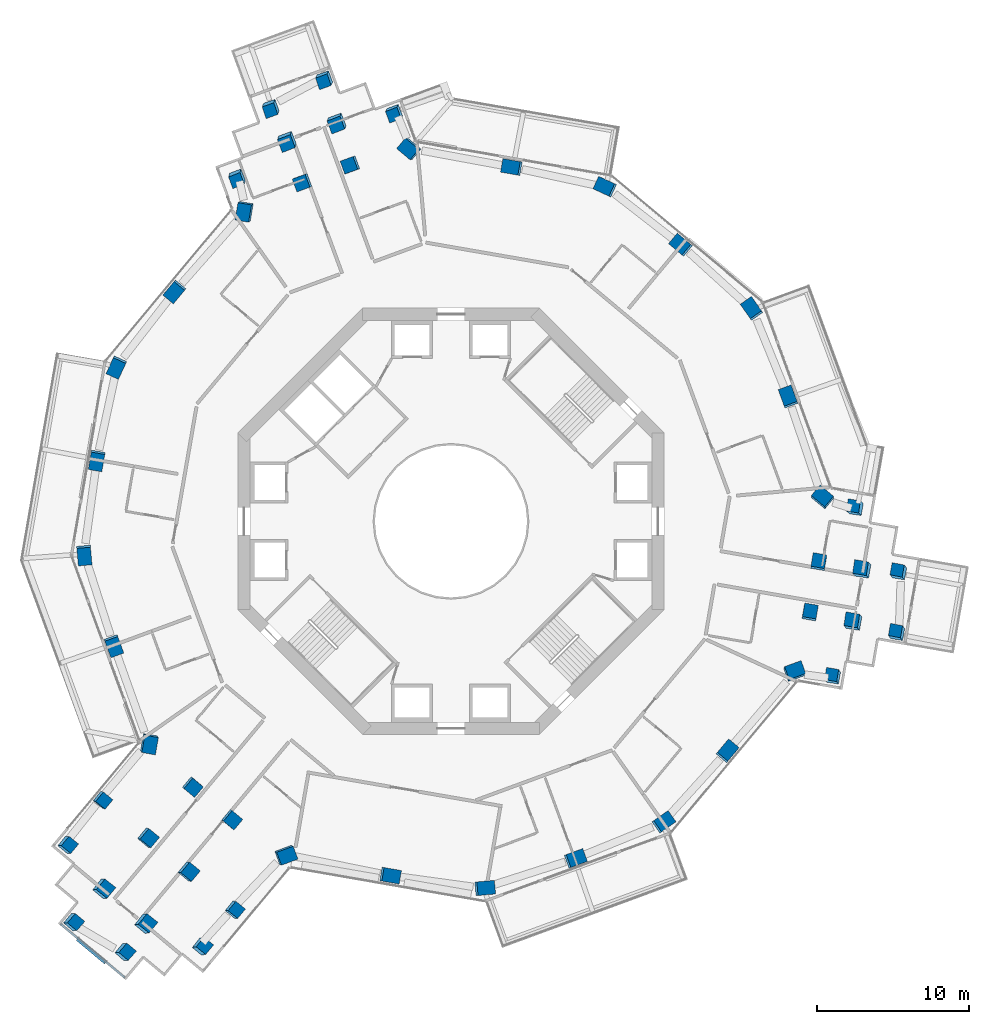
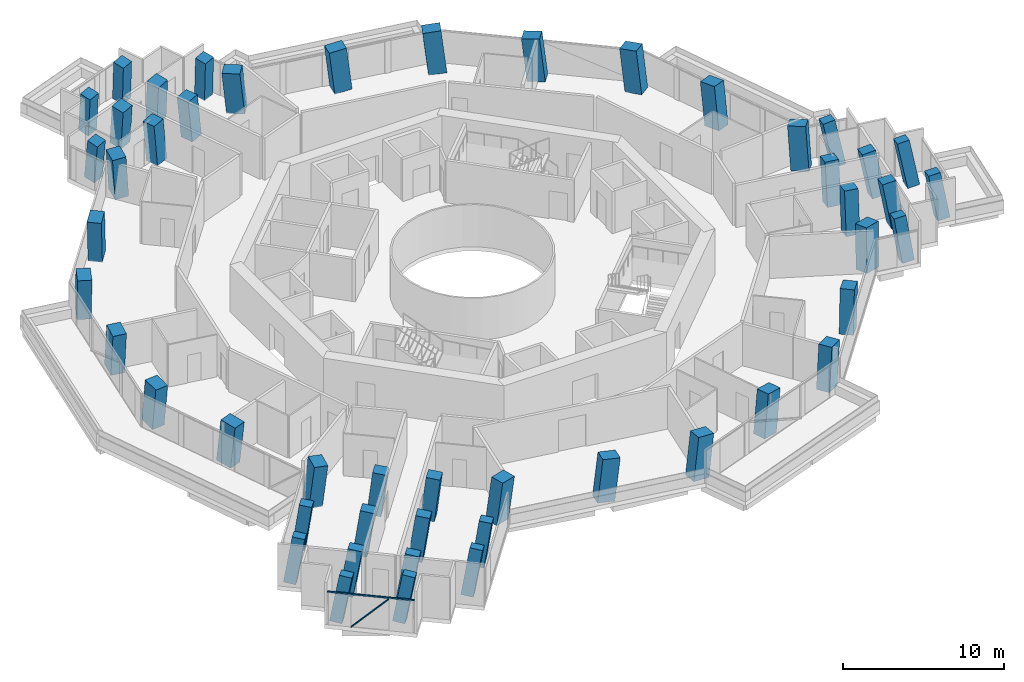
# One storey, part 1 of 24: 49 columns, 2 members, 1 element without a shape of its own.
"""IFC4 building model written with IfcOpenShell, lengths in metres."""

from ifc_helpers import new_model, si_unit, direction, frame, origin, origin_2d, place, context, subcontext, project, spatial, rectangle, extrude, material, layer, layer_set, material_profile, profile_set, type_object, element, aggregate, save


model = new_model("IFC4")

# Units and contexts
model_context = context("Model", 3, precision=1e-05, world=origin(), true_north=direction((0.0, 1.0)))
body_context = subcontext(model_context, "Body", "Model", "MODEL_VIEW")
ifc_project = project(units=[si_unit("LENGTHUNIT", "METRE"), si_unit("AREAUNIT", "SQUARE_METRE"), si_unit("VOLUMEUNIT", "CUBIC_METRE"), si_unit("PLANEANGLEUNIT", "RADIAN"), si_unit("MASSUNIT", "GRAM", prefix="KILO")], contexts=[model_context])

# Site, building, storey
site_placement = place(None, origin())
site = spatial("IfcSite", under=ifc_project, at=site_placement, CompositionType="ELEMENT")
building_placement = place(site_placement, origin())
building = spatial("IfcBuilding", under=site, at=building_placement, Name="Verdalira Terraces Hotel", CompositionType="ELEMENT")
storey_placement = place(building_placement, frame((0.0, 0.0, 115.0)))
storey = spatial("IfcBuildingStorey", under=building, at=storey_placement, Name="L27", CompositionType="ELEMENT", Elevation=115.0)

# Columns
ifc_material_1 = material(Name="Concrete C80", Category="concrete")
ifc_material_profile_1 = material_profile(ifc_material_1, rectangle(XDim=1.149902, YDim=0.899902, at=origin_2d()), Name="RC 1150X900")
ifc_profile_set_1 = profile_set([ifc_material_profile_1], Name="Concrete C80")
column_type_1 = type_object("IfcColumnType", Name="Column RC 1150X900 C80", PredefinedType="COLUMN", material=ifc_profile_set_1)
column_1_placement = place(storey_placement, frame((-13.529297, 20.370117, 0.0), z_axis=(-0.0963115, -0.06514519, 0.993217096), x_axis=(0.163605987, 0.983247674, 0.080356042)))
element("IfcColumn", 1, at=column_1_placement, inside=storey, type_object=column_type_1, Name="Column C03", PredefinedType="COLUMN", context=body_context, shape_type="SweptSolid", body=[
    extrude(rectangle(XDim=1.149902, YDim=0.899902, at=origin_2d()), origin(), (0.0, 0.0, 1.0), 3.21167),
])
column_2_placement = place(storey_placement, frame((-18.127197, 15.124512, 0.0), z_axis=(-0.071258876, -0.086849132, 0.993669664), x_axis=(-0.636786768, -0.7628125, -0.112337447)))
element("IfcColumn", 2, at=column_2_placement, inside=storey, type_object=column_type_1, Name="Column C04", PredefinedType="COLUMN", context=body_context, shape_type="SweptSolid", body=[
    extrude(rectangle(XDim=1.149902, YDim=0.899902, at=origin_2d()), origin(), (0.0, 0.0, 1.0), 3.210205),
])
column_3_placement = place(storey_placement, frame((-21.95459, 10.163086, 0.0), z_axis=(-0.047440282, -0.104839983, 0.993356934), x_axis=(0.417189371, 0.90150539, 0.115069807)))
element("IfcColumn", 3, at=column_3_placement, inside=storey, type_object=column_type_1, Name="Column C05", PredefinedType="COLUMN", context=body_context, shape_type="SweptSolid", body=[
    extrude(rectangle(XDim=1.149902, YDim=0.899902, at=origin_2d()), origin(), (0.0, 0.0, 1.0), 3.211182),
])
column_4_placement = place(storey_placement, frame((-23.260986, 4.034668, 0.0), z_axis=(-0.018252096, -0.11080543, 0.993674503), x_axis=(-0.169817412, -0.979056669, -0.112294638)))
element("IfcColumn", 4, at=column_4_placement, inside=storey, type_object=column_type_1, Name="Column C06", PredefinedType="COLUMN", context=body_context, shape_type="SweptSolid", body=[
    extrude(rectangle(XDim=1.149902, YDim=0.899902, at=origin_2d()), origin(), (0.0, 0.0, 1.0), 3.210205),
])
column_5_placement = place(storey_placement, frame((-24.094482, -2.175781, 0.0), z_axis=(0.011251897, -0.114495653, 0.993360026), x_axis=(-0.088756673, 0.989387353, 0.115043115)))
element("IfcColumn", 5, at=column_5_placement, inside=storey, type_object=column_type_1, Name="Column C07", PredefinedType="COLUMN", context=body_context, shape_type="SweptSolid", body=[
    extrude(rectangle(XDim=1.149902, YDim=0.899902, at=origin_2d()), origin(), (0.0, 0.0, 1.0), 3.211182),
])
column_6_placement = place(storey_placement, frame((-22.161865, -8.136475, 0.0), z_axis=(0.039546221, -0.105101688, 0.993674862), x_axis=(0.342030908, -0.932955243, -0.11229146)))
element("IfcColumn", 6, at=column_6_placement, inside=storey, type_object=column_type_1, Name="Column C08", PredefinedType="COLUMN", context=body_context, shape_type="SweptSolid", body=[
    extrude(rectangle(XDim=1.149902, YDim=0.899902, at=origin_2d()), origin(), (0.0, 0.0, 1.0), 3.210205),
])
column_7_placement = place(storey_placement, frame((-19.849365, -14.580566, 0.0), z_axis=(0.070155123, -0.093793523, 0.993116828), x_axis=(0.176840134, 0.980970377, 0.080154141)))
element("IfcColumn", 7, at=column_7_placement, inside=storey, type_object=column_type_1, Name="Column C09", PredefinedType="COLUMN", context=body_context, shape_type="SweptSolid", body=[
    extrude(rectangle(XDim=1.149902, YDim=0.899902, at=origin_2d()), origin(), (0.0, 0.0, 1.0), 3.212158),
])
column_8_placement = place(storey_placement, frame((-10.876465, -21.901855, 0.0), z_axis=(0.104596815, -0.05085412, 0.993213655), x_axis=(-0.933337259, -0.349887415, 0.08037635)))
element("IfcColumn", 8, at=column_8_placement, inside=storey, type_object=column_type_1, Name="Column C16", PredefinedType="COLUMN", context=body_context, shape_type="SweptSolid", body=[
    extrude(rectangle(XDim=1.149902, YDim=0.899902, at=origin_2d()), origin(), (0.0, 0.0, 1.0), 3.21167),
])
column_9_placement = place(storey_placement, frame((-4.034668, -23.260986, 0.0), z_axis=(0.11080543, -0.018252096, 0.993674503), x_axis=(0.979056669, -0.169817412, -0.112294638)))
element("IfcColumn", 9, at=column_9_placement, inside=storey, type_object=column_type_1, Name="Column C17", PredefinedType="COLUMN", context=body_context, shape_type="SweptSolid", body=[
    extrude(rectangle(XDim=1.149902, YDim=0.899902, at=origin_2d()), origin(), (0.0, 0.0, 1.0), 3.210205),
])
column_10_placement = place(storey_placement, frame((2.175781, -24.094482, 0.0), z_axis=(0.114495653, 0.011251897, 0.993360026), x_axis=(-0.989387353, -0.088756673, 0.115043115)))
element("IfcColumn", 10, at=column_10_placement, inside=storey, type_object=column_type_1, Name="Column C18", PredefinedType="COLUMN", context=body_context, shape_type="SweptSolid", body=[
    extrude(rectangle(XDim=1.149902, YDim=0.899902, at=origin_2d()), origin(), (0.0, 0.0, 1.0), 3.211182),
])
column_11_placement = place(storey_placement, frame((8.136475, -22.161865, 0.0), z_axis=(0.105101688, 0.039546221, 0.993674862), x_axis=(0.932955243, 0.342030908, -0.11229146)))
element("IfcColumn", 11, at=column_11_placement, inside=storey, type_object=column_type_1, Name="Column C19", PredefinedType="COLUMN", context=body_context, shape_type="SweptSolid", body=[
    extrude(rectangle(XDim=1.149902, YDim=0.899902, at=origin_2d()), origin(), (0.0, 0.0, 1.0), 3.210205),
])
column_12_placement = place(storey_placement, frame((13.931641, -19.778809, 0.0), z_axis=(0.093512147, 0.067055052, 0.993357488), x_axis=(-0.812148283, -0.571992313, 0.115065024)))
element("IfcColumn", 12, at=column_12_placement, inside=storey, type_object=column_type_1, Name="Column C20", PredefinedType="COLUMN", context=body_context, shape_type="SweptSolid", body=[
    extrude(rectangle(XDim=1.149902, YDim=0.899902, at=origin_2d()), origin(), (0.0, 0.0, 1.0), 3.211182),
])
column_13_placement = place(storey_placement, frame((18.127197, -15.124512, 0.0), z_axis=(0.071258876, 0.086849132, 0.993669664), x_axis=(0.636786768, 0.7628125, -0.112337447)))
element("IfcColumn", 13, at=column_13_placement, inside=storey, type_object=column_type_1, Name="Column C21", PredefinedType="COLUMN", context=body_context, shape_type="SweptSolid", body=[
    extrude(rectangle(XDim=1.149902, YDim=0.899902, at=origin_2d()), origin(), (0.0, 0.0, 1.0), 3.210205),
])
column_14_placement = place(storey_placement, frame((22.552002, -9.899658, 0.0), z_axis=(0.046136841, 0.107627294, 0.993120213), x_axis=(-0.937960416, -0.337355481, 0.080134497)))
element("IfcColumn", 14, at=column_14_placement, inside=storey, type_object=column_type_1, Name="Column C22", PredefinedType="COLUMN", context=body_context, shape_type="SweptSolid", body=[
    extrude(rectangle(XDim=1.149902, YDim=0.899902, at=origin_2d()), origin(), (0.0, 0.0, 1.0), 3.212158),
])
column_15_placement = place(storey_placement, frame((24.405762, 1.531738, 0.0), z_axis=(-0.008285658, 0.115999212, 0.993214746), x_axis=(0.769837685, -0.633159234, 0.080369914)))
element("IfcColumn", 15, at=column_15_placement, inside=storey, type_object=column_type_1, Name="Column C27", PredefinedType="COLUMN", context=body_context, shape_type="SweptSolid", body=[
    extrude(rectangle(XDim=1.149902, YDim=0.899902, at=origin_2d()), origin(), (0.0, 0.0, 1.0), 3.21167),
])
column_16_placement = place(storey_placement, frame((22.161865, 8.136475, 0.0), z_axis=(-0.039546221, 0.105101688, 0.993674862), x_axis=(-0.342030908, 0.932955243, -0.11229146)))
element("IfcColumn", 16, at=column_16_placement, inside=storey, type_object=column_type_1, Name="Column C28", PredefinedType="COLUMN", context=body_context, shape_type="SweptSolid", body=[
    extrude(rectangle(XDim=1.149902, YDim=0.899902, at=origin_2d()), origin(), (0.0, 0.0, 1.0), 3.210205),
])
column_17_placement = place(storey_placement, frame((19.778809, 13.931641, 0.0), z_axis=(-0.067055052, 0.093512147, 0.993357488), x_axis=(0.571992313, -0.812148283, 0.115065024)))
element("IfcColumn", 17, at=column_17_placement, inside=storey, type_object=column_type_1, Name="Column C29", PredefinedType="COLUMN", context=body_context, shape_type="SweptSolid", body=[
    extrude(rectangle(XDim=1.149902, YDim=0.899902, at=origin_2d()), origin(), (0.0, 0.0, 1.0), 3.211182),
])
column_18_placement = place(storey_placement, frame((15.124512, 18.127197, 0.0), z_axis=(-0.086849132, 0.071258876, 0.993669664), x_axis=(-0.7628125, 0.636786768, -0.112337447)))
element("IfcColumn", 18, at=column_18_placement, inside=storey, type_object=column_type_1, Name="Column C30", PredefinedType="COLUMN", context=body_context, shape_type="SweptSolid", body=[
    extrude(rectangle(XDim=1.149902, YDim=0.899902, at=origin_2d()), origin(), (0.0, 0.0, 1.0), 3.210205),
])
column_19_placement = place(storey_placement, frame((10.163086, 21.95459, 0.0), z_axis=(-0.104839983, 0.047440282, 0.993356934), x_axis=(0.90150539, -0.417189371, 0.115069807)))
element("IfcColumn", 19, at=column_19_placement, inside=storey, type_object=column_type_1, Name="Column C31", PredefinedType="COLUMN", context=body_context, shape_type="SweptSolid", body=[
    extrude(rectangle(XDim=1.149902, YDim=0.899902, at=origin_2d()), origin(), (0.0, 0.0, 1.0), 3.211182),
])
column_20_placement = place(storey_placement, frame((4.034668, 23.260986, 0.0), z_axis=(-0.11080543, 0.018252096, 0.993674503), x_axis=(-0.979056669, 0.169817412, -0.112294638)))
element("IfcColumn", 20, at=column_20_placement, inside=storey, type_object=column_type_1, Name="Column C32", PredefinedType="COLUMN", context=body_context, shape_type="SweptSolid", body=[
    extrude(rectangle(XDim=1.149902, YDim=0.899902, at=origin_2d()), origin(), (0.0, 0.0, 1.0), 3.210205),
])
column_21_placement = place(storey_placement, frame((-2.702393, 24.480225, 0.0), z_axis=(-0.116292029, -0.013833431, 0.993118724), x_axis=(0.760993508, -0.643790306, 0.080143137)))
element("IfcColumn", 21, at=column_21_placement, inside=storey, type_object=column_type_1, Name="Column C33", PredefinedType="COLUMN", context=body_context, shape_type="SweptSolid", body=[
    extrude(rectangle(XDim=1.149902, YDim=0.899902, at=origin_2d()), origin(), (0.0, 0.0, 1.0), 3.212158),
])
ifc_material_2 = material(Name="Concrete C80", Category="concrete")
ifc_material_profile_2 = material_profile(ifc_material_2, rectangle(XDim=0.800049, YDim=0.800049, at=origin_2d()), Name="RC 800X800")
ifc_profile_set_2 = profile_set([ifc_material_profile_2], Name="Concrete C80")
column_type_2 = type_object("IfcColumnType", Name="Column RC 800X800 C80", PredefinedType="COLUMN", material=ifc_profile_set_2)
column_22_placement = place(storey_placement, frame((-3.700439, 26.87915, 0.0), z_axis=(-0.071727246, -0.160406836, 0.984441389), x_axis=(-0.356457406, 0.925925494, 0.124900346)))
element("IfcColumn", 22, at=column_22_placement, inside=storey, type_object=column_type_2, Name="Column C01", PredefinedType="COLUMN", context=body_context, shape_type="SweptSolid", body=[
    extrude(rectangle(XDim=0.800049, YDim=0.800049, at=origin_2d()), origin(), (0.0, 0.0, 1.0), 3.240479),
])
column_23_placement = place(storey_placement, frame((-14.031982, 22.638672, 0.0), z_axis=(-0.050918304, -0.207336942, 0.97694356), x_axis=(0.359402866, -0.91647893, -0.175772441)))
element("IfcColumn", 23, at=column_23_placement, inside=storey, type_object=column_type_2, Name="Column C02", PredefinedType="COLUMN", context=body_context, shape_type="SweptSolid", body=[
    extrude(rectangle(XDim=0.800049, YDim=0.800049, at=origin_2d()), origin(), (0.0, 0.0, 1.0), 3.265137),
])
column_24_placement = place(storey_placement, frame((-22.941162, -18.286377, 0.0), z_axis=(0.135569972, -0.048396208, 0.989585059), x_axis=(-0.634432772, -0.771411372, 0.049188948)))
element("IfcColumn", 24, at=column_24_placement, inside=storey, type_object=column_type_2, Name="Column C10", PredefinedType="COLUMN", context=body_context, shape_type="SweptSolid", body=[
    extrude(rectangle(XDim=0.800049, YDim=0.800049, at=origin_2d()), origin(), (0.0, 0.0, 1.0), 3.223633),
])
column_25_placement = place(storey_placement, frame((-25.271729, -21.251221, 0.0), z_axis=(0.195885199, 0.000150104, 0.980626823), x_axis=(-0.620998064, -0.773914861, 0.124165986)))
element("IfcColumn", 25, at=column_25_placement, inside=storey, type_object=column_type_2, Name="Column C11", PredefinedType="COLUMN", context=body_context, shape_type="SweptSolid", body=[
    extrude(rectangle(XDim=0.800049, YDim=0.800049, at=origin_2d()), origin(), (0.0, 0.0, 1.0), 3.25293),
])
column_26_placement = place(storey_placement, frame((-24.898193, -26.329346, 0.0), z_axis=(0.218598181, 0.002091134, 0.975812719), x_axis=(0.741762886, -0.650105647, -0.164773994)))
element("IfcColumn", 26, at=column_26_placement, inside=storey, type_object=column_type_2, Name="Column C12", PredefinedType="COLUMN", context=body_context, shape_type="SweptSolid", body=[
    extrude(rectangle(XDim=0.800049, YDim=0.800049, at=origin_2d()), origin(), (0.0, 0.0, 1.0), 3.269043),
])
column_27_placement = place(storey_placement, frame((-21.525635, -28.296875, 0.0), z_axis=(0.227141442, 0.017885153, 0.973697533), x_axis=(0.740704544, -0.652301788, -0.160807823)))
element("IfcColumn", 27, at=column_27_placement, inside=storey, type_object=column_type_2, Name="Column C13", PredefinedType="COLUMN", context=body_context, shape_type="SweptSolid", body=[
    extrude(rectangle(XDim=0.800049, YDim=0.800049, at=origin_2d()), origin(), (0.0, 0.0, 1.0), 3.276123),
])
column_28_placement = place(storey_placement, frame((-16.446289, -27.9375, 0.0), z_axis=(0.225215331, 0.041496837, 0.973424916), x_axis=(0.610659671, 0.772491852, -0.174215686)))
element("IfcColumn", 28, at=column_28_placement, inside=storey, type_object=column_type_2, Name="Column C14", PredefinedType="COLUMN", context=body_context, shape_type="SweptSolid", body=[
    extrude(rectangle(XDim=0.800049, YDim=0.800049, at=origin_2d()), origin(), (0.0, 0.0, 1.0), 3.2771),
])
column_29_placement = place(storey_placement, frame((-14.279785, -25.512695, 0.0), z_axis=(0.168674806, -0.00709098, 0.985646249), x_axis=(0.626663946, 0.772627213, -0.101683272)))
element("IfcColumn", 29, at=column_29_placement, inside=storey, type_object=column_type_2, Name="Column C15", PredefinedType="COLUMN", context=body_context, shape_type="SweptSolid", body=[
    extrude(rectangle(XDim=0.800049, YDim=0.800049, at=origin_2d()), origin(), (0.0, 0.0, 1.0), 3.236328),
])
column_30_placement = place(storey_placement, frame((25.128174, -10.234863, 0.0), z_axis=(-0.103070011, 0.142324014, 0.984439154), x_axis=(0.980113493, -0.154192153, 0.124909248)))
element("IfcColumn", 30, at=column_30_placement, inside=storey, type_object=column_type_2, Name="Column C23", PredefinedType="COLUMN", context=body_context, shape_type="SweptSolid", body=[
    extrude(rectangle(XDim=0.800049, YDim=0.800049, at=origin_2d()), origin(), (0.0, 0.0, 1.0), 3.240479),
])
column_31_placement = place(storey_placement, frame((29.339355, -7.372559, 0.0), z_axis=(-0.116185202, 0.161339167, 0.980036056), x_axis=(0.188971062, 0.972285739, -0.137660374)))
element("IfcColumn", 31, at=column_31_placement, inside=storey, type_object=column_type_2, Name="Column C24", PredefinedType="COLUMN", context=body_context, shape_type="SweptSolid", body=[
    extrude(rectangle(XDim=0.800049, YDim=0.800049, at=origin_2d()), origin(), (0.0, 0.0, 1.0), 3.254883),
])
column_32_placement = place(storey_placement, frame((29.472412, -3.386719, 0.0), z_axis=(-0.134537049, 0.161399563, 0.977675797), x_axis=(0.191101996, 0.972349846, -0.134222963)))
element("IfcColumn", 32, at=column_32_placement, inside=storey, type_object=column_type_2, Name="Column C25", PredefinedType="COLUMN", context=body_context, shape_type="SweptSolid", body=[
    extrude(rectangle(XDim=0.800049, YDim=0.800049, at=origin_2d()), origin(), (0.0, 0.0, 1.0), 3.262695),
])
column_33_placement = place(storey_placement, frame((26.621582, 0.832764, 0.0), z_axis=(-0.154101199, 0.147745739, 0.976946271), x_axis=(-0.973407273, 0.146921481, -0.175762225)))
element("IfcColumn", 33, at=column_33_placement, inside=storey, type_object=column_type_2, Name="Column C26", PredefinedType="COLUMN", context=body_context, shape_type="SweptSolid", body=[
    extrude(rectangle(XDim=0.800049, YDim=0.800049, at=origin_2d()), origin(), (0.0, 0.0, 1.0), 3.265137),
])
column_34_placement = place(storey_placement, frame((-8.284912, 29.094971, 0.0), z_axis=(-0.081607297, -0.181291209, 0.980037625), x_axis=(-0.936473218, -0.322597284, -0.13765502)))
element("IfcColumn", 34, at=column_34_placement, inside=storey, type_object=column_type_2, Name="Column C34", PredefinedType="COLUMN", context=body_context, shape_type="SweptSolid", body=[
    extrude(rectangle(XDim=0.800049, YDim=0.800049, at=origin_2d()), origin(), (0.0, 0.0, 1.0), 3.254883),
])
column_35_placement = place(storey_placement, frame((-11.803467, 27.217285, 0.0), z_axis=(-0.072431501, -0.197241154, 0.977675613), x_axis=(-0.93750635, -0.321038773, -0.134223508)))
element("IfcColumn", 35, at=column_35_placement, inside=storey, type_object=column_type_2, Name="Column C35", PredefinedType="COLUMN", context=body_context, shape_type="SweptSolid", body=[
    extrude(rectangle(XDim=0.800049, YDim=0.800049, at=origin_2d()), origin(), (0.0, 0.0, 1.0), 3.262695),
])
ifc_material_3 = material(Name="Concrete C80", Category="concrete")
ifc_material_profile_3 = material_profile(ifc_material_3, rectangle(XDim=0.899902, YDim=0.899902, at=origin_2d()), Name="RC 900X900")
ifc_profile_set_3 = profile_set([ifc_material_profile_3], Name="Concrete C80")
column_type_3 = type_object("IfcColumnType", Name="Column RC 900X900 C80", PredefinedType="COLUMN", material=ifc_profile_set_3)
for number, where, z_axis, x_axis, name in (
    (36, (-6.570801, 23.429199, 0.0), (-0.111141732, -0.032232623, 0.993281719), (-0.344187472, 0.938866473, -0.008045515), "Column C36"),
    (37, (-9.72168, 22.272461, 0.0), (-0.105518141, -0.047133464, 0.993299732), (-0.34563036, 0.93833825, 0.007809182), "Column C37"),
):
    element("IfcColumn", number, at=place(storey_placement, frame(where, z_axis=z_axis, x_axis=x_axis)), inside=storey, type_object=column_type_3, Name=name, PredefinedType="COLUMN", context=body_context, shape_type="SweptSolid", body=[
        extrude(rectangle(XDim=0.899902, YDim=0.899902, at=origin_2d()), origin(), (0.0, 0.0, 1.0), 3.211426),
    ])
column_36_placement = place(storey_placement, frame((-7.474609, 26.25, 0.0), z_axis=(-0.068372429, -0.177693182, 0.981707871), x_axis=(-0.358344635, 0.922718021, 0.142058358)))
element("IfcColumn", 38, at=column_36_placement, inside=storey, type_object=column_type_3, Name="Column C38", PredefinedType="COLUMN", context=body_context, shape_type="SweptSolid", body=[
    extrude(rectangle(XDim=0.899902, YDim=0.899902, at=origin_2d()), origin(), (0.0, 0.0, 1.0), 3.249268),
])
column_37_placement = place(storey_placement, frame((-10.741455, 25.050293, 0.0), z_axis=(-0.062509093, -0.192474041, 0.979309122), x_axis=(-0.359050777, 0.919868747, 0.157873457)))
element("IfcColumn", 39, at=column_37_placement, inside=storey, type_object=column_type_3, Name="Column C39", PredefinedType="COLUMN", context=body_context, shape_type="SweptSolid", body=[
    extrude(rectangle(XDim=0.899902, YDim=0.899902, at=origin_2d()), origin(), (0.0, 0.0, 1.0), 3.257324),
])
for number, where, z_axis, x_axis, name in (
    (40, (-17.004883, -17.405029, 0.0), (0.08346999, -0.080201129, 0.993277675), (-0.641373259, -0.767186792, -0.008047928), "Column C40"),
    (41, (-14.42749, -19.55542, 0.0), (0.093507353, -0.067811836, 0.993306564), (-0.64006993, -0.76827701, 0.007805214), "Column C41"),
):
    element("IfcColumn", number, at=place(storey_placement, frame(where, z_axis=z_axis, x_axis=x_axis)), inside=storey, type_object=column_type_3, Name=name, PredefinedType="COLUMN", context=body_context, shape_type="SweptSolid", body=[
        extrude(rectangle(XDim=0.899902, YDim=0.899902, at=origin_2d()), origin(), (0.0, 0.0, 1.0), 3.211426),
    ])
column_38_placement = place(storey_placement, frame((-19.960693, -20.772949, 0.0), z_axis=(0.147003089, -0.034197322, 0.988544706), x_axis=(-0.632235067, -0.771846683, 0.067316549)))
element("IfcColumn", 42, at=column_38_placement, inside=storey, type_object=column_type_3, Name="Column C42", PredefinedType="COLUMN", context=body_context, shape_type="SweptSolid", body=[
    extrude(rectangle(XDim=0.899902, YDim=0.899902, at=origin_2d()), origin(), (0.0, 0.0, 1.0), 3.226807),
])
column_39_placement = place(storey_placement, frame((-17.297607, -22.995117, 0.0), z_axis=(0.157249711, -0.021460316, 0.987325672), x_axis=(-0.629622895, -0.772401705, 0.083490216)))
element("IfcColumn", 43, at=column_39_placement, inside=storey, type_object=column_type_3, Name="Column C43", PredefinedType="COLUMN", context=body_context, shape_type="SweptSolid", body=[
    extrude(rectangle(XDim=0.899902, YDim=0.899902, at=origin_2d()), origin(), (0.0, 0.0, 1.0), 3.230957),
])
column_40_placement = place(storey_placement, frame((-22.916748, -24.140625, 0.0), z_axis=(0.208738729, 0.01130138, 0.977906142), x_axis=(-0.617187962, -0.774135555, 0.140688175)))
element("IfcColumn", 44, at=column_40_placement, inside=storey, type_object=column_type_3, Name="Column C44", PredefinedType="COLUMN", context=body_context, shape_type="SweptSolid", body=[
    extrude(rectangle(XDim=0.899902, YDim=0.899902, at=origin_2d()), origin(), (0.0, 0.0, 1.0), 3.261963),
])
column_41_placement = place(storey_placement, frame((-20.16748, -26.434814, 0.0), z_axis=(0.218819046, 0.024188799, 0.975465595), x_axis=(-0.613707244, -0.773795509, 0.156856397)))
element("IfcColumn", 45, at=column_41_placement, inside=storey, type_object=column_type_3, Name="Column C45", PredefinedType="COLUMN", context=body_context, shape_type="SweptSolid", body=[
    extrude(rectangle(XDim=0.899902, YDim=0.899902, at=origin_2d()), origin(), (0.0, 0.0, 1.0), 3.270264),
])
for number, where, z_axis, x_axis, name in (
    (46, (23.575684, -6.02417, 0.0), (0.027671422, 0.112358136, 0.993282408), (0.985151188, -0.171500477, -0.008045104), "Column C46"),
    (47, (24.149414, -2.717041, 0.0), (0.011935415, 0.114944884, 0.993300166), (0.985446579, -0.169805951, 0.00780893), "Column C47"),
):
    element("IfcColumn", number, at=place(storey_placement, frame(where, z_axis=z_axis, x_axis=x_axis)), inside=storey, type_object=column_type_3, Name=name, PredefinedType="COLUMN", context=body_context, shape_type="SweptSolid", body=[
        extrude(rectangle(XDim=0.899902, YDim=0.899902, at=origin_2d()), origin(), (0.0, 0.0, 1.0), 3.211426),
    ])
column_42_placement = place(storey_placement, frame((26.470215, -6.651855, 0.0), z_axis=(-0.119614866, 0.148091018, 0.981713468), x_axis=(0.978203153, -0.151473207, 0.142036822)))
element("IfcColumn", 48, at=column_42_placement, inside=storey, type_object=column_type_3, Name="Column C48", PredefinedType="COLUMN", context=body_context, shape_type="SweptSolid", body=[
    extrude(rectangle(XDim=0.899902, YDim=0.899902, at=origin_2d()), origin(), (0.0, 0.0, 1.0), 3.249268),
])
column_43_placement = place(storey_placement, frame((27.065186, -3.2229, 0.0), z_axis=(-0.135508756, 0.150423713, 0.979290602), x_axis=(0.976161192, -0.148873179, 0.157943357)))
element("IfcColumn", 49, at=column_43_placement, inside=storey, type_object=column_type_3, Name="Column C49", PredefinedType="COLUMN", context=body_context, shape_type="SweptSolid", body=[
    extrude(rectangle(XDim=0.899902, YDim=0.899902, at=origin_2d()), origin(), (0.0, 0.0, 1.0), 3.257324),
])

# Curtain wall, members
ifc_material_4 = material(Name="Clear glass", Category="glass")
ifc_layer = layer(ifc_material_4, 0.14990234375)
ifc_layer_set = layer_set([ifc_layer], Name="CW3 curtain wall")
curtain_wall_type = type_object("IfcCurtainWallType", Name="CW3 curtain wall", PredefinedType="NOTDEFINED", material=ifc_layer_set)
curtain_wall_placement = place(storey_placement, origin())
curtain_wall = element("IfcCurtainWall", 50, at=curtain_wall_placement, inside=storey, type_object=curtain_wall_type, Name="CW3 curtain wall L27 edge 19", PredefinedType="NOTDEFINED")
ifc_material_5 = material(Name="Terracotta frame", Category="masonry")
ifc_material_profile_4 = material_profile(ifc_material_5, rectangle(XDim=0.120117, YDim=0.064941, at=origin_2d()), Name="TR 65x120")
ifc_profile_set_4 = profile_set([ifc_material_profile_4], Name="Terracotta frame")
member_type_1 = type_object("IfcMemberType", Name="CW3 transom 65x120", PredefinedType="USERDEFINED", material=ifc_profile_set_4)
member_1_placement = place(storey_placement, frame((-25.650635, -26.450684, 2.45752), z_axis=(0.767850025, -0.640629643, 0.0), x_axis=(0.640629643, 0.767850025, 0.0)))
member_1 = element("IfcMember", 51, at=member_1_placement, type_object=member_type_1, Name="CW3 transom", ObjectType="TRANSOM", PredefinedType="USERDEFINED", context=body_context, shape_type="SweptSolid", body=[
    extrude(rectangle(XDim=0.120117, YDim=0.064941, at=origin_2d()), origin(), (0.0, 0.0, 1.0), 5.5),
])
ifc_material_6 = material(Name="Terracotta frame", Category="masonry")
ifc_material_profile_5 = material_profile(ifc_material_6, rectangle(XDim=0.149902, YDim=0.060059, at=origin_2d()), Name="GB 60x150")
ifc_profile_set_5 = profile_set([ifc_material_profile_5], Name="Terracotta frame")
member_type_2 = type_object("IfcMemberType", Name="Diagonal glazing bar 60x150", PredefinedType="USERDEFINED", material=ifc_profile_set_5)
member_2_placement = place(storey_placement, frame((-24.54541, -27.493896, 0.022949), z_axis=(0.54077534, -0.451168218, 0.709936103), x_axis=(0.640621808, 0.767856561, 0.0)))
member_2 = element("IfcMember", 52, at=member_2_placement, type_object=member_type_2, Name="Diagonal glazing bar", ObjectType="GLAZING BAR", PredefinedType="USERDEFINED", context=body_context, shape_type="SweptSolid", body=[
    extrude(rectangle(XDim=0.149902, YDim=0.060059, at=origin_2d()), origin(), (0.0, 0.0, 1.0), 3.351318),
])
aggregate(curtain_wall, [member_1, member_2])

save(model, "model.ifc")
